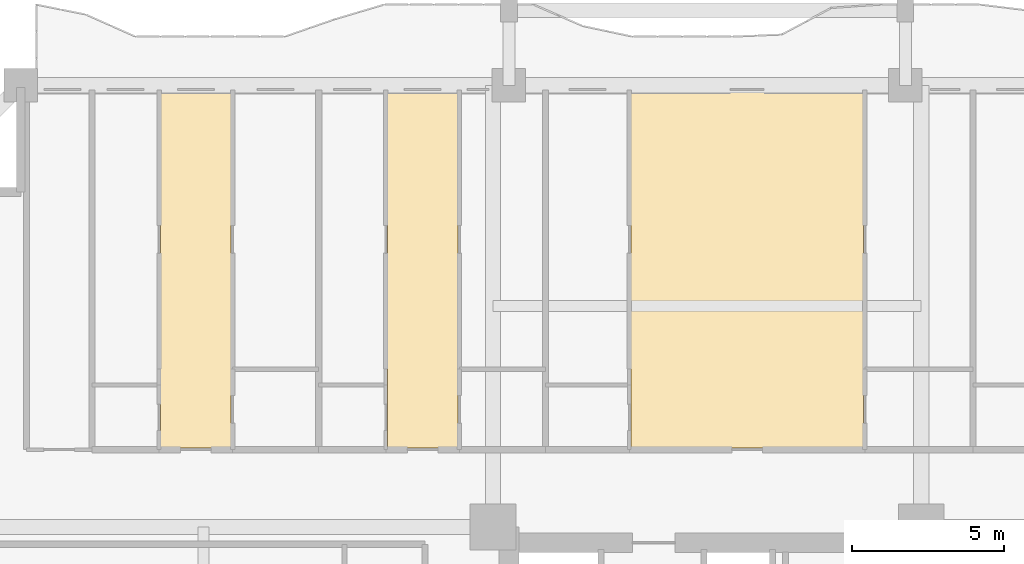
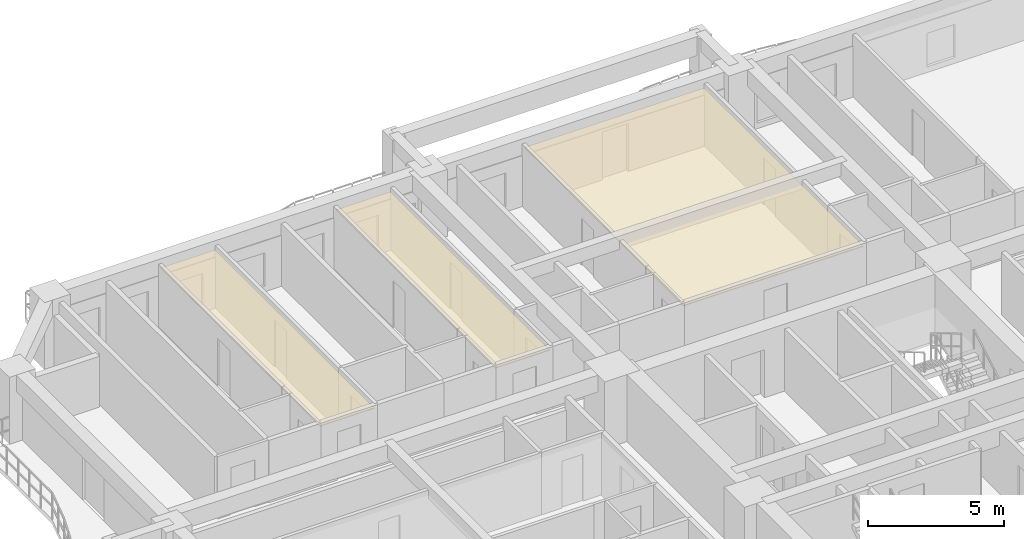
# One storey, part 14 of 15: 3 coverings.
"""IFC4 building model written with IfcOpenShell, lengths in metres."""

from ifc_helpers import new_model, si_unit, direction, frame, origin, place, context, subcontext, project, spatial, polyline, outline, extrude, material, layer, layer_set, type_object, element, save


model = new_model("IFC4")

# Units and contexts
model_context = context("Model", 3, precision=1e-05, world=origin(), true_north=direction((0.0, 1.0)))
body_context = subcontext(model_context, "Body", "Model", "MODEL_VIEW")
ifc_project = project(units=[si_unit("LENGTHUNIT", "METRE"), si_unit("AREAUNIT", "SQUARE_METRE"), si_unit("VOLUMEUNIT", "CUBIC_METRE"), si_unit("PLANEANGLEUNIT", "RADIAN"), si_unit("MASSUNIT", "GRAM", prefix="KILO")], contexts=[model_context])

# Site, building, storey
site_placement = place(None, origin())
site = spatial("IfcSite", under=ifc_project, at=site_placement, CompositionType="ELEMENT")
building_placement = place(site_placement, origin())
building = spatial("IfcBuilding", under=site, at=building_placement, Name="Saelheon Loggia Tower", CompositionType="ELEMENT")
storey_placement = place(building_placement, frame((0.0, 0.0, 49.39990234375)))
storey = spatial("IfcBuildingStorey", under=building, at=storey_placement, Name="L15", CompositionType="ELEMENT", Elevation=49.39990234375)

# Coverings
ifc_material = material(Name="Mineral-Fibre Acoustic Ceiling Board", Category="gypsum")
ifc_layer = layer(ifc_material, 0.02490234375)
ifc_layer_set = layer_set([ifc_layer], Name="Mineral-Fibre Acoustic Ceiling Board")
covering_type = type_object("IfcCoveringType", Name="Cov_Ceiling_Acoustic", PredefinedType="CEILING", material=ifc_layer_set)
covering_1_placement = place(storey_placement, frame((0.0, 0.0, 2.53515625)))
element("IfcCovering", 1, at=covering_1_placement, inside=storey, type_object=covering_type, Name="L15 Acoustic Suspended Ceiling", PredefinedType="CEILING", context=body_context, shape_type="SweptSolid", body=[
    extrude(outline(polyline([(20.080078125, 39.10009765625), (22.39013671875, 39.10009765625), (22.39013671875, 50.800048828125), (20.080078125, 50.800048828125), (20.080078125, 39.10009765625)])), origin(), (0.0, 0.0, 1.0), 0.02490234375),
])
covering_2_placement = place(storey_placement, frame((0.0, 0.0, 2.53515625)))
element("IfcCovering", 2, at=covering_2_placement, inside=storey, type_object=covering_type, Name="L15 Acoustic Suspended Ceiling", PredefinedType="CEILING", context=body_context, shape_type="SweptSolid", body=[
    extrude(outline(polyline([(27.515869140625, 39.10009765625), (29.825927734375, 39.10009765625), (29.825927734375, 50.800048828125), (27.515869140625, 50.800048828125), (27.515869140625, 39.10009765625)])), origin(), (0.0, 0.0, 1.0), 0.02490234375),
])
covering_3_placement = place(storey_placement, frame((0.0, 0.0, 2.53515625)))
element("IfcCovering", 3, at=covering_3_placement, inside=storey, type_object=covering_type, Name="L15 Acoustic Suspended Ceiling", PredefinedType="CEILING", context=body_context, shape_type="SweptSolid", body=[
    extrude(outline(polyline([(35.50146484375, 39.10009765625), (43.125244140625, 39.10009765625), (43.125244140625, 50.800048828125), (35.50146484375, 50.800048828125), (35.50146484375, 39.10009765625)])), origin(), (0.0, 0.0, 1.0), 0.02490234375),
])

save(model, "model.ifc")
